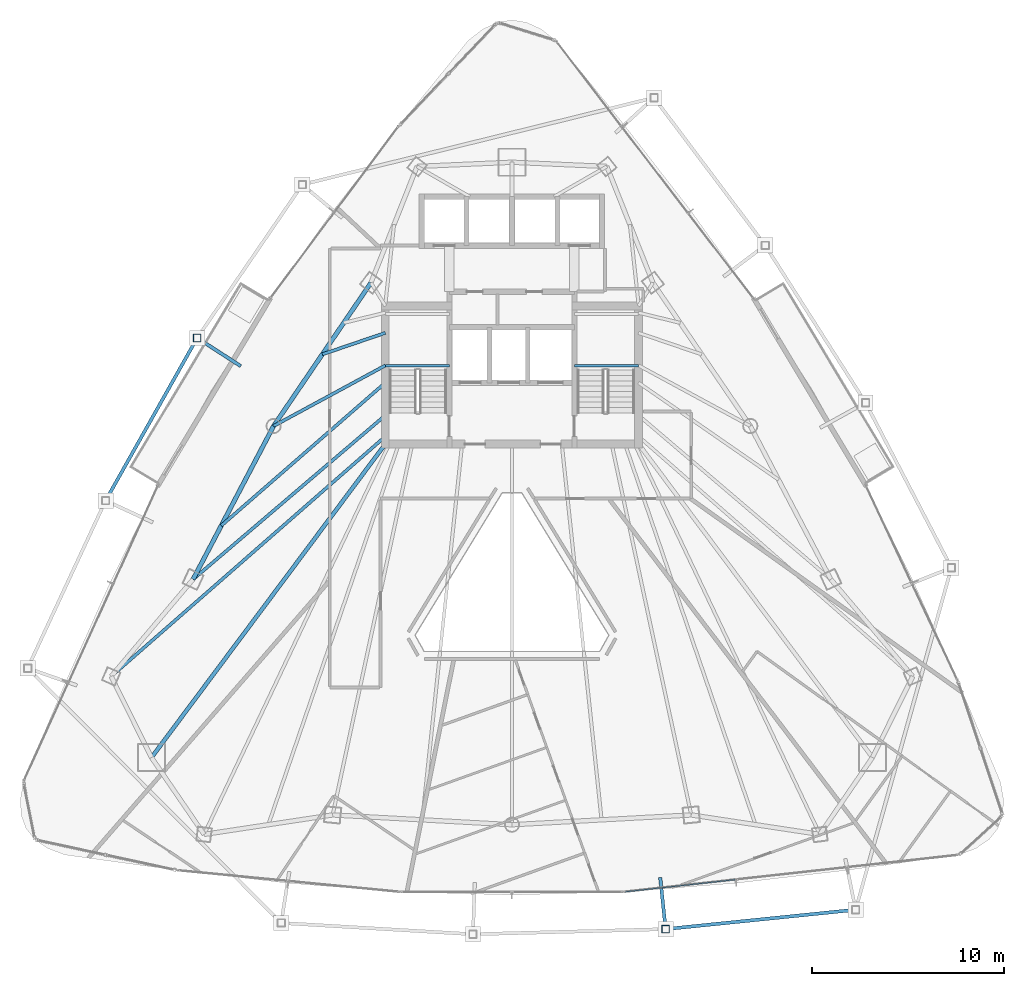
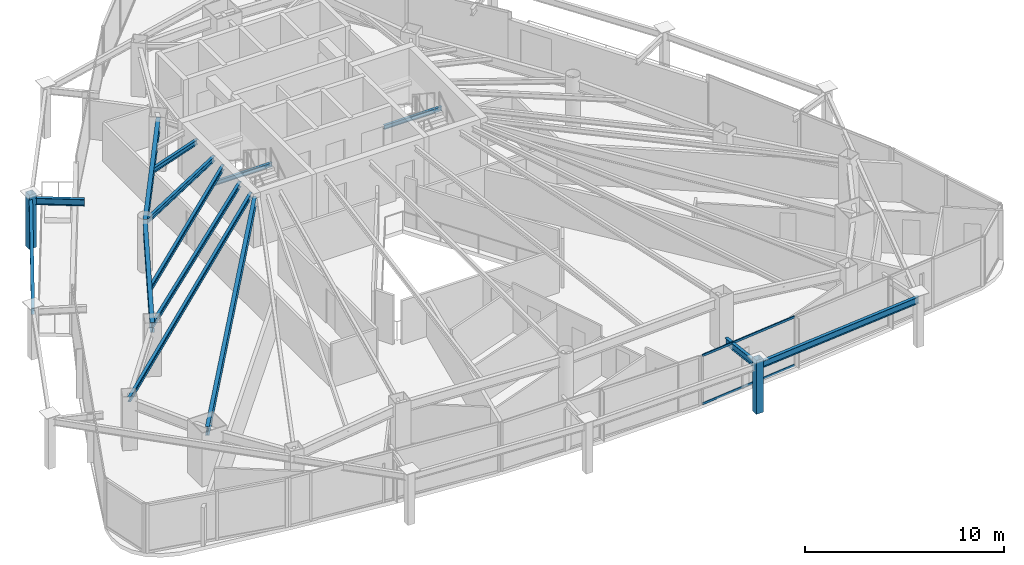
# One storey, part 11 of 30: 14 beams, 4 members, 1 element without a shape of its own.
"""IFC4 building model written with IfcOpenShell, lengths in metres."""

from ifc_helpers import new_model, si_unit, direction, frame, origin, origin_2d, place, context, subcontext, project, spatial, hollow_rectangle, i_section, extrude, material, layer, layer_set, material_profile, profile_set, type_object, element, aggregate, save


model = new_model("IFC4")

# Units and contexts
model_context = context("Model", 3, precision=1e-05, world=origin(), true_north=direction((0.0, 1.0)))
body_context = subcontext(model_context, "Body", "Model", "MODEL_VIEW")
ifc_project = project(units=[si_unit("LENGTHUNIT", "METRE"), si_unit("AREAUNIT", "SQUARE_METRE"), si_unit("VOLUMEUNIT", "CUBIC_METRE"), si_unit("PLANEANGLEUNIT", "RADIAN"), si_unit("MASSUNIT", "GRAM", prefix="KILO")], contexts=[model_context])

# Site, building, storey
site_placement = place(None, origin())
site = spatial("IfcSite", under=ifc_project, at=site_placement, CompositionType="ELEMENT")
building_placement = place(site_placement, origin())
building = spatial("IfcBuilding", under=site, at=building_placement, Name="Orvanel Arch Residences", CompositionType="ELEMENT")
storey_placement = place(building_placement, frame((0.0, 0.0, 143.0)))
storey = spatial("IfcBuildingStorey", under=building, at=storey_placement, Name="L40", CompositionType="ELEMENT", Elevation=143.0)

# Beams
ifc_material_1 = material(Name="Structural steel AS/NZS 3679.1 Grade 300 (300 MPa)", Category="steel")
ifc_material_profile_1 = material_profile(ifc_material_1, i_section(OverallWidth=0.208984375, OverallDepth=0.532958984375, WebThickness=0.01025390625, FlangeThickness=0.015625, at=origin_2d()), Name="530UB92.4")
ifc_profile_set_1 = profile_set([ifc_material_profile_1], Name="Structural steel AS/NZS 3679.1 Grade 300 (300 MPa)")
beam_type_1 = type_object("IfcBeamType", Name="BG-530UB", PredefinedType="BEAM", material=ifc_profile_set_1)
beam_1_placement = place(storey_placement, frame((26.375, 26.675048828125, 2.75390625), z_axis=(-0.597893733742, -0.801575375839, 0.0), x_axis=(0.801575375839, -0.597893733742, 0.0)))
element("IfcBeam", 1, at=beam_1_placement, inside=storey, type_object=beam_type_1, Name="L40 South-West Radial Girder", PredefinedType="BEAM", context=body_context, shape_type="SweptSolid", body=[
    extrude(i_section(OverallWidth=0.208984375, OverallDepth=0.532958984375, WebThickness=0.01025390625, FlangeThickness=0.015625, at=origin_2d()), origin(), (0.0, 0.0, 1.0), 20.36474609375),
])
ifc_material_profile_2 = material_profile(ifc_material_1, i_section(OverallWidth=0.14599609375, OverallDepth=0.251953125, WebThickness=0.006103515625, FlangeThickness=0.008544921875, at=origin_2d()), Name="250UB31.4")
ifc_profile_set_2 = profile_set([ifc_material_profile_2], Name="Structural steel AS/NZS 3679.1 Grade 300 (300 MPa)")
beam_type_2 = type_object("IfcBeamType", Name="BJ-250UB", PredefinedType="JOIST", material=ifc_profile_set_2)
for number, where, z_axis, x_axis, name in (
    (2, (26.39990234375, 30.780029296875, 1.323974609375), (1.0, 0.0, 0.0), (0.0, 1.0, 0.0), "L40 ST-1 Half-Landing Support Beam 1.1"),
    (3, (36.25, 30.780029296875, 1.323974609375), (1.0, 0.0, 0.0), (0.0, 1.0, 0.0), "L40 ST-2 Half-Landing Support Beam 1.1"),
):
    element("IfcBeam", number, at=place(storey_placement, frame(where, z_axis=z_axis, x_axis=x_axis)), inside=storey, type_object=beam_type_2, Name=name, PredefinedType="JOIST", context=body_context, shape_type="SweptSolid", body=[
        extrude(i_section(OverallWidth=0.14599609375, OverallDepth=0.251953125, WebThickness=0.006103515625, FlangeThickness=0.008544921875, at=origin_2d()), origin(), (0.0, 0.0, 1.0), 3.35009765625),
    ])
ifc_material_profile_3 = material_profile(ifc_material_1, i_section(OverallWidth=0.1650390625, OverallDepth=0.303955078125, WebThickness=0.006103515625, FlangeThickness=0.01025390625, at=origin_2d()), Name="310UB40.4")
ifc_profile_set_3 = profile_set([ifc_material_profile_3], Name="Structural steel AS/NZS 3679.1 Grade 300 (300 MPa)")
beam_type_3 = type_object("IfcBeamType", Name="BJ-310UB", PredefinedType="JOIST", material=ifc_profile_set_3)
beam_2_placement = place(storey_placement, frame((26.39990234375, 30.800048828125, 2.867919921875), z_axis=(-0.87925534649, -0.476350748576, 0.0), x_axis=(0.476350748576, -0.87925534649, 0.0)))
element("IfcBeam", 4, at=beam_2_placement, inside=storey, type_object=beam_type_3, Name="L40 NW Wing Floor Joist", PredefinedType="JOIST", context=body_context, shape_type="SweptSolid", body=[
    extrude(i_section(OverallWidth=0.1650390625, OverallDepth=0.303955078125, WebThickness=0.006103515625, FlangeThickness=0.01025390625, at=origin_2d()), origin(), (0.0, 0.0, 1.0), 6.631591796875),
])
beam_3_placement = place(storey_placement, frame((26.39990234375, 28.199951171875, 2.867919921875), z_axis=(-0.760821315761, -0.648961420644, 0.0), x_axis=(0.648961420644, -0.760821315761, 0.0)))
element("IfcBeam", 5, at=beam_3_placement, inside=storey, type_object=beam_type_3, Name="L40 W Wing Floor Joist", PredefinedType="JOIST", context=body_context, shape_type="SweptSolid", body=[
    extrude(i_section(OverallWidth=0.1650390625, OverallDepth=0.303955078125, WebThickness=0.006103515625, FlangeThickness=0.01025390625, at=origin_2d()), origin(), (0.0, 0.0, 1.0), 13.18701171875),
])
beam_4_placement = place(storey_placement, frame((26.39990234375, 32.5, 2.867919921875), z_axis=(-0.946441958332, -0.322873999431, 0.0), x_axis=(0.322873999431, -0.946441958332, 0.0)))
element("IfcBeam", 6, at=beam_4_placement, inside=storey, type_object=beam_type_3, Name="L40 WNW Wing Floor Joist", PredefinedType="JOIST", context=body_context, shape_type="SweptSolid", body=[
    extrude(i_section(OverallWidth=0.1650390625, OverallDepth=0.303955078125, WebThickness=0.006103515625, FlangeThickness=0.01025390625, at=origin_2d()), origin(), (0.0, 0.0, 1.0), 3.478271484375),
])
beam_5_placement = place(storey_placement, frame((26.39990234375, 27.10009765625, 2.867919921875), z_axis=(-0.752493154183, -0.658600070534, 0.0), x_axis=(0.658600070534, -0.752493154183, 0.0)))
element("IfcBeam", 7, at=beam_5_placement, inside=storey, type_object=beam_type_3, Name="L40 MW Wing Floor Joist", PredefinedType="JOIST", context=body_context, shape_type="SweptSolid", body=[
    extrude(i_section(OverallWidth=0.1650390625, OverallDepth=0.303955078125, WebThickness=0.006103515625, FlangeThickness=0.01025390625, at=origin_2d()), origin(), (0.0, 0.0, 1.0), 19.010009765625),
])
beam_6_placement = place(storey_placement, frame((26.39990234375, 29.89990234375, 2.867919921875), z_axis=(-0.754047930849, -0.656819395254, 0.0), x_axis=(0.656819395254, -0.754047930849, 0.0)))
element("IfcBeam", 8, at=beam_6_placement, inside=storey, type_object=beam_type_3, Name="L40 CTW Wing Floor Joist", PredefinedType="JOIST", context=body_context, shape_type="SweptSolid", body=[
    extrude(i_section(OverallWidth=0.1650390625, OverallDepth=0.303955078125, WebThickness=0.006103515625, FlangeThickness=0.01025390625, at=origin_2d()), origin(), (0.0, 0.0, 1.0), 11.354736328125),
])
ifc_material_profile_4 = material_profile(ifc_material_1, i_section(OverallWidth=0.177978515625, OverallDepth=0.406005859375, WebThickness=0.0078125, FlangeThickness=0.0126953125, at=origin_2d()), Name="410UB59.7")
ifc_profile_set_4 = profile_set([ifc_material_profile_4], Name="Structural steel AS/NZS 3679.1 Grade 300 (300 MPa)")
beam_type_4 = type_object("IfcBeamType", Name="OB-410UB-EXT", PredefinedType="SPANDREL", material=ifc_profile_set_4)
beam_7_placement = place(storey_placement, frame((18.85595703125, 30.763916015625, 2.81689453125), z_axis=(-0.840403986751, 0.541960458938, 0.0), x_axis=(-0.541960458938, -0.840403986751, 0.0)))
element("IfcBeam", 9, at=beam_7_placement, inside=storey, type_object=beam_type_4, Name="L40 Outer Frame Radial Tie Beam 02", PredefinedType="SPANDREL", context=body_context, shape_type="SweptSolid", body=[
    extrude(i_section(OverallWidth=0.177978515625, OverallDepth=0.406005859375, WebThickness=0.0078125, FlangeThickness=0.0126953125, at=origin_2d()), origin(), (0.0, 0.0, 1.0), 2.70703125),
])
beam_8_placement = place(storey_placement, frame((16.5810546875, 32.23095703125, 2.81689453125), z_axis=(-0.490535083464, -0.871421443327, 0.0), x_axis=(0.871421443327, -0.490535083464, 0.0)))
element("IfcBeam", 10, at=beam_8_placement, inside=storey, type_object=beam_type_4, Name="L40 Outer Perimeter Floor Ring Beam 02", PredefinedType="SPANDREL", context=body_context, shape_type="SweptSolid", body=[
    extrude(i_section(OverallWidth=0.177978515625, OverallDepth=0.406005859375, WebThickness=0.0078125, FlangeThickness=0.0126953125, at=origin_2d()), origin(), (0.0, 0.0, 1.0), 9.734619140625),
])
beam_9_placement = place(storey_placement, frame((40.73291015625, 4.093017578125, 2.81689453125), z_axis=(0.10458153624, -0.994516315742, 0.0), x_axis=(0.994516315742, 0.10458153624, 0.0)))
element("IfcBeam", 11, at=beam_9_placement, inside=storey, type_object=beam_type_4, Name="L40 Outer Frame Radial Tie Beam 07", PredefinedType="SPANDREL", context=body_context, shape_type="SweptSolid", body=[
    extrude(i_section(OverallWidth=0.177978515625, OverallDepth=0.406005859375, WebThickness=0.0078125, FlangeThickness=0.0126953125, at=origin_2d()), origin(), (0.0, 0.0, 1.0), 2.7080078125),
])
beam_10_placement = place(storey_placement, frame((41.01611328125, 1.39990234375, 2.81689453125), z_axis=(0.994855237823, 0.101306741024, 0.0), x_axis=(-0.101306741024, 0.994855237823, 0.0)))
element("IfcBeam", 12, at=beam_10_placement, inside=storey, type_object=beam_type_4, Name="L40 Outer Perimeter Floor Ring Beam 07", PredefinedType="SPANDREL", context=body_context, shape_type="SweptSolid", body=[
    extrude(i_section(OverallWidth=0.177978515625, OverallDepth=0.406005859375, WebThickness=0.0078125, FlangeThickness=0.0126953125, at=origin_2d()), origin(), (0.0, 0.0, 1.0), 9.960205078125),
])
ifc_material_profile_5 = material_profile(ifc_material_1, i_section(OverallWidth=0.22900390625, OverallDepth=0.612060546875, WebThickness=0.011962890625, FlangeThickness=0.01953125, at=origin_2d()), Name="610UB125")
ifc_profile_set_5 = profile_set([ifc_material_profile_5], Name="Structural steel AS/NZS 3679.1 Grade 300 (300 MPa)")
beam_type_5 = type_object("IfcBeamType", Name="SP-610UB", PredefinedType="SPANDREL", material=ifc_profile_set_5)
beam_11_placement = place(storey_placement, frame((25.64794921875, 35.113037109375, 2.714111328125), z_axis=(-0.562154793153, -0.827032035978, 0.0), x_axis=(0.827032035978, -0.562154793153, 0.0)))
element("IfcBeam", 13, at=beam_11_placement, inside=storey, type_object=beam_type_5, Name="L40 Perimeter Spandrel Beam 17", PredefinedType="SPANDREL", context=body_context, shape_type="SweptSolid", body=[
    extrude(i_section(OverallWidth=0.22900390625, OverallDepth=0.612060546875, WebThickness=0.011962890625, FlangeThickness=0.01953125, at=origin_2d()), origin(), (0.0, 0.0, 1.0), 9.03466796875),
])
beam_12_placement = place(storey_placement, frame((20.569091796875, 27.64111328125, 2.714111328125), z_axis=(-0.465064762793, -0.885276660942, 0.0), x_axis=(0.885276660942, -0.465064762793, 0.0)))
element("IfcBeam", 14, at=beam_12_placement, inside=storey, type_object=beam_type_5, Name="L40 Perimeter Spandrel Beam 18", PredefinedType="SPANDREL", context=body_context, shape_type="SweptSolid", body=[
    extrude(i_section(OverallWidth=0.22900390625, OverallDepth=0.612060546875, WebThickness=0.011962890625, FlangeThickness=0.01953125, at=origin_2d()), origin(), (0.0, 0.0, 1.0), 9.03564453125),
])

# Members
ifc_material_2 = material(Name="Structural steel AS/NZS 1163 C450L0 (Grade 450)", Category="steel")
ifc_material_profile_6 = material_profile(ifc_material_2, hollow_rectangle(XDim=0.39990234375, YDim=0.39990234375, WallThickness=0.01611328125, at=origin_2d()), Name="SHS400x400x16")
ifc_profile_set_6 = profile_set([ifc_material_profile_6], Name="Structural steel AS/NZS 1163 C450L0 (Grade 450)")
member_type_1 = type_object("IfcMemberType", Name="ST-400SHS-EXT", PredefinedType="STRUT", material=ifc_profile_set_6)
for number, where, z_axis, x_axis, name in (
    (15, (16.5810546875, 32.23095703125, 0.0), (0.0, 0.0, 1.0), (1.0, 0.0, 0.0), "L40 Outer Perimeter Frame Post 02"),
    (16, (41.01611328125, 1.39990234375, 0.0), (0.0, 0.0, 1.0), (1.0, 0.0, 0.0), "L40 Outer Perimeter Frame Post 07"),
):
    element("IfcMember", number, at=place(storey_placement, frame(where, z_axis=z_axis, x_axis=x_axis)), inside=storey, type_object=member_type_1, Name=name, PredefinedType="STRUT", context=body_context, shape_type="SweptSolid", body=[
        extrude(hollow_rectangle(XDim=0.39990234375, YDim=0.39990234375, WallThickness=0.01611328125, at=origin_2d()), origin(), (0.0, 0.0, 1.0), 3.300048828125),
    ])

# Curtain wall, members
ifc_material_3 = material(Name="Bronze-anodised aluminium AA6063-T6", Category="aluminium")
ifc_layer = layer(ifc_material_3, 0.179931640625)
ifc_layer_set = layer_set([ifc_layer], Name="Bronze-anodised aluminium AA6063-T6")
curtain_wall_type = type_object("IfcCurtainWallType", Name="CW3-MID-SYS", PredefinedType="NOTDEFINED", material=ifc_layer_set)
curtain_wall_placement = place(storey_placement, origin())
curtain_wall = element("IfcCurtainWall", 17, at=curtain_wall_placement, inside=storey, type_object=curtain_wall_type, Name="L40 CW3-MID-SYS Unitised Curtain Wall", PredefinedType="NOTDEFINED")
ifc_material_profile_7 = material_profile(ifc_material_3, hollow_rectangle(XDim=0.06005859375, YDim=0.135009765625, WallThickness=0.00390625, at=origin_2d()), Name="ALU135x60x4")
ifc_profile_set_7 = profile_set([ifc_material_profile_7], Name="Bronze-anodised aluminium AA6063-T6")
member_type_2 = type_object("IfcMemberType", Name="TRN-135x60", PredefinedType="USERDEFINED", material=ifc_profile_set_7)
member_1_placement = place(storey_placement, frame((38.920654296875, 3.3466796875, 0.030029296875), z_axis=(0.993944704215, 0.109881413179, 0.0), x_axis=(-0.109881413179, 0.993944704215, 0.0)))
member_1 = element("IfcMember", 18, at=member_1_placement, type_object=member_type_2, Name="CW-S3 transom 1.1", ObjectType="TRANSOM", PredefinedType="USERDEFINED", context=body_context, shape_type="SweptSolid", body=[
    extrude(hollow_rectangle(XDim=0.06005859375, YDim=0.135009765625, WallThickness=0.00390625, at=origin_2d()), origin(), (0.0, 0.0, 1.0), 5.748046875),
])
member_2_placement = place(storey_placement, frame((38.920654296875, 3.3466796875, 2.989990234375), z_axis=(0.993944704215, 0.109881413179, 0.0), x_axis=(-0.109881413179, 0.993944704215, 0.0)))
member_2 = element("IfcMember", 19, at=member_2_placement, type_object=member_type_2, Name="CW-S3 transom 1.2", ObjectType="TRANSOM", PredefinedType="USERDEFINED", context=body_context, shape_type="SweptSolid", body=[
    extrude(hollow_rectangle(XDim=0.06005859375, YDim=0.135009765625, WallThickness=0.00390625, at=origin_2d()), origin(), (0.0, 0.0, 1.0), 5.748046875),
])
aggregate(curtain_wall, [member_1, member_2])

save(model, "model.ifc")
